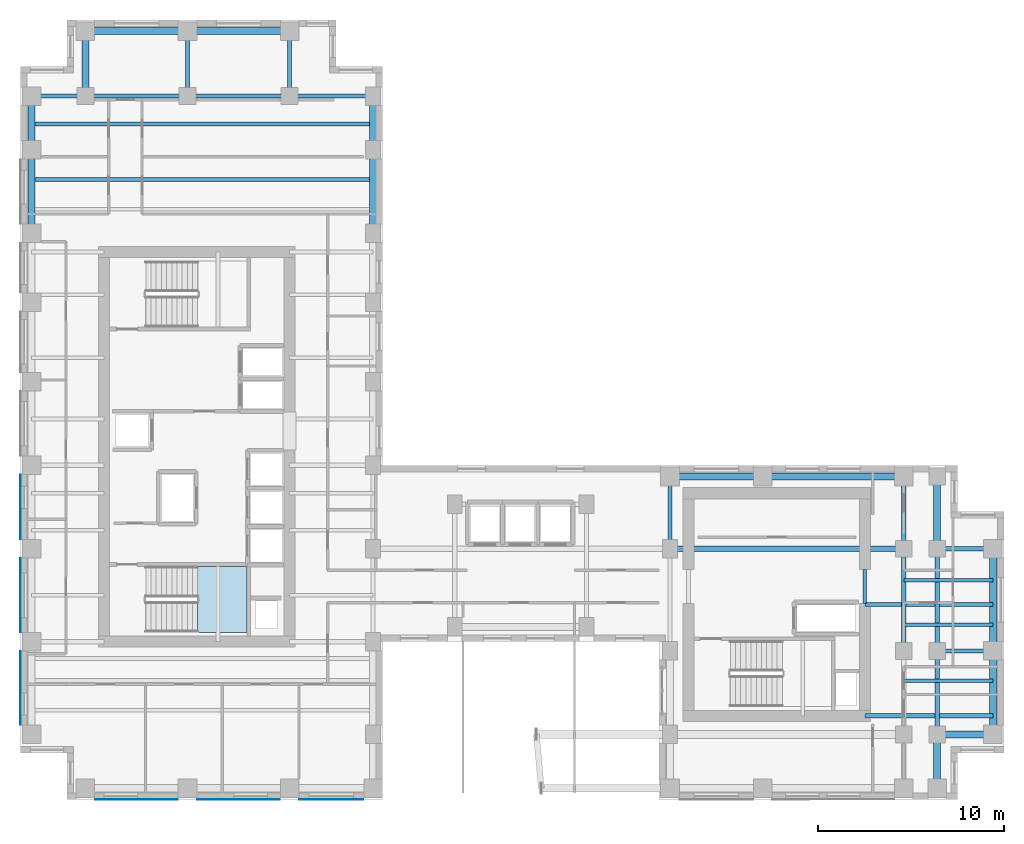
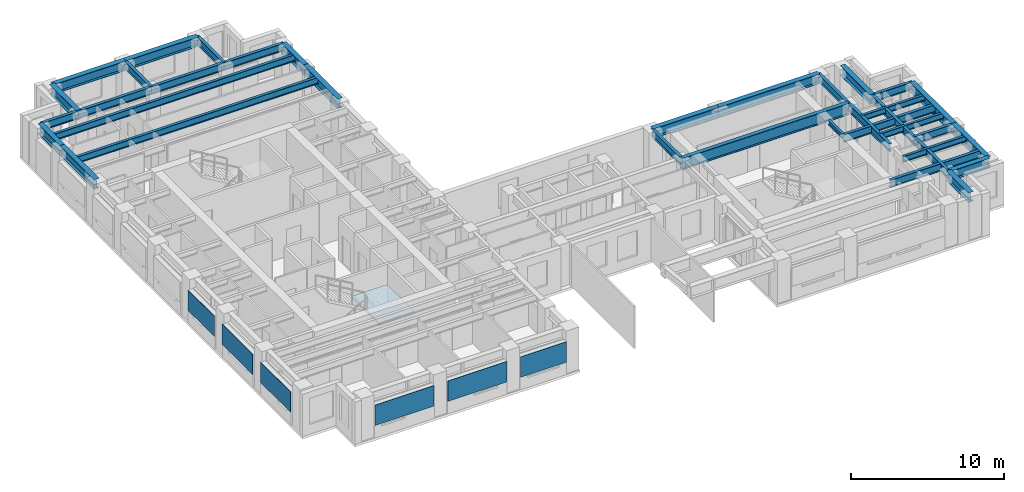
# One storey, part 3 of 13: 36 beams, 6 plates, 1 slab, 1 element without a shape of its own.
"""IFC4 building model written with IfcOpenShell, lengths in metres."""

from ifc_helpers import new_model, si_unit, direction, frame, origin, origin_2d, place, context, subcontext, project, spatial, polyline, rectangle, i_section, outline, extrude, source, transform, mapped, material, layer, layer_set, material_profile, profile_set, type_object, element, aggregate, save


model = new_model("IFC4")

# Units and contexts
model_context = context("Model", 3, precision=1e-05, world=origin(), true_north=direction((0.0, 1.0)))
body_context = subcontext(model_context, "Body", "Model", "MODEL_VIEW")
ifc_project = project(units=[si_unit("LENGTHUNIT", "METRE"), si_unit("AREAUNIT", "SQUARE_METRE"), si_unit("VOLUMEUNIT", "CUBIC_METRE"), si_unit("PLANEANGLEUNIT", "RADIAN"), si_unit("MASSUNIT", "GRAM", prefix="KILO")], contexts=[model_context])

# Site, building, storey
site_placement = place(None, origin())
site = spatial("IfcSite", under=ifc_project, at=site_placement, CompositionType="ELEMENT")
building_placement = place(site_placement, origin())
building = spatial("IfcBuilding", under=site, at=building_placement, Name="Kharzan Plaza Tower", CompositionType="ELEMENT")
storey_placement = place(building_placement, frame((0.0, 0.0, 189.89990234375)))
storey = spatial("IfcBuildingStorey", under=building, at=storey_placement, Name="L51", CompositionType="ELEMENT", Elevation=189.89990234375)

# Beams
ifc_material_1 = material(Name="Steel S355", Category="steel")
ifc_material_profile_1 = material_profile(ifc_material_1, i_section(OverallWidth=0.205078125, OverallDepth=0.35400390625, WebThickness=0.009521484375, FlangeThickness=0.016845703125, at=origin_2d()), Name="W360x79")
ifc_profile_set_1 = profile_set([ifc_material_profile_1], Name="Steel S355")
beam_type_1 = type_object("IfcBeamType", Name="BM-LNT360", PredefinedType="LINTEL", material=ifc_profile_set_1)
shared_shape_1 = source(origin(), body_context, "Body", "SweptSolid", [
    extrude(i_section(OverallWidth=0.205078125, OverallDepth=0.35400390625, WebThickness=0.009521484375, FlangeThickness=0.016845703125, at=origin_2d()), origin(), (0.0, 0.0, 1.0), 1.849853515625),
])
beam_1_placement = place(storey_placement, frame((45.5, 10.550048828125, 3.22314453125), z_axis=(0.0, 1.0, 0.0), x_axis=(-1.0, 0.0, 0.0)))
element("IfcBeam", 1, at=beam_1_placement, inside=storey, type_object=beam_type_1, Name="L51 CORE-B coupling lintel LN1-WE", PredefinedType="LINTEL", context=body_context, shape_type="MappedRepresentation", body=[
    mapped(shared_shape_1, transform((0.0, 0.0, 0.0), x_axis=(1.0, 0.0, 0.0), y_axis=(0.0, 1.0, 0.0), z_axis=(0.0, 0.0, 1.0))),
])
ifc_material_profile_2 = material_profile(ifc_material_1, i_section(OverallWidth=0.304931640625, OverallDepth=0.9189453125, WebThickness=0.017333984375, FlangeThickness=0.02783203125, at=origin_2d()), Name="W920x253")
ifc_profile_set_2 = profile_set([ifc_material_profile_2], Name="Steel S355")
beam_type_2 = type_object("IfcBeamType", Name="BM-FG920B", PredefinedType="BEAM", material=ifc_profile_set_2)
shared_shape_2 = source(origin(), body_context, "Body", "SweptSolid", [
    extrude(i_section(OverallWidth=0.304931640625, OverallDepth=0.9189453125, WebThickness=0.017333984375, FlangeThickness=0.02783203125, at=origin_2d()), origin(), (0.0, 0.0, 1.0), 12.60009765625),
])
beam_2_placement = place(storey_placement, frame((35.0, 13.5, 2.940673828125), z_axis=(1.0, 0.0, 0.0), x_axis=(0.0, 1.0, 0.0)))
element("IfcBeam", 2, at=beam_2_placement, inside=storey, type_object=beam_type_2, Name="L51 Primary Floor Girder", PredefinedType="BEAM", context=body_context, shape_type="MappedRepresentation", body=[
    mapped(shared_shape_2, transform((0.0, 0.0, 0.0), x_axis=(1.0, 0.0, 0.0), y_axis=(0.0, 1.0, 0.0), z_axis=(0.0, 0.0, 1.0))),
])
ifc_material_profile_3 = material_profile(ifc_material_1, i_section(OverallWidth=0.2099609375, OverallDepth=0.537109375, WebThickness=0.010986328125, FlangeThickness=0.017333984375, at=origin_2d()), Name="W530x101")
ifc_profile_set_3 = profile_set([ifc_material_profile_3], Name="Steel S355")
beam_type_3 = type_object("IfcBeamType", Name="BM-JST530B", PredefinedType="JOIST", material=ifc_profile_set_3)
shared_shape_3 = source(origin(), body_context, "Body", "SweptSolid", [
    extrude(i_section(OverallWidth=0.2099609375, OverallDepth=0.537109375, WebThickness=0.010986328125, FlangeThickness=0.017333984375, at=origin_2d()), origin(), (0.0, 0.0, 1.0), 18.39990234375),
])
for number, where, z_axis, x_axis, name in (
    (3, (0.60009765625, 33.39990234375, 3.131591796875), (1.0, 0.0, 0.0), (0.0, 1.0, 0.0), "L51 Wing A Composite Joist 05"),
    (4, (0.60009765625, 36.39990234375, 3.131591796875), (1.0, 0.0, 0.0), (0.0, 1.0, 0.0), "L51 Wing A Composite Joist 06"),
):
    element("IfcBeam", number, at=place(storey_placement, frame(where, z_axis=z_axis, x_axis=x_axis)), inside=storey, type_object=beam_type_3, Name=name, PredefinedType="JOIST", context=body_context, shape_type="MappedRepresentation", body=[
        mapped(shared_shape_3, transform((0.0, 0.0, 0.0), x_axis=(1.0, 0.0, 0.0), y_axis=(0.0, 1.0, 0.0), z_axis=(0.0, 0.0, 1.0))),
    ])
ifc_material_profile_4 = material_profile(ifc_material_1, i_section(OverallWidth=0.22900390625, OverallDepth=0.612060546875, WebThickness=0.011962890625, FlangeThickness=0.01953125, at=origin_2d()), Name="W610x125")
ifc_profile_set_4 = profile_set([ifc_material_profile_4], Name="Steel S355")
beam_type_4 = type_object("IfcBeamType", Name="BM-FG610B", PredefinedType="BEAM", material=ifc_profile_set_4)
shared_shape_4 = source(origin(), body_context, "Body", "SweptSolid", [
    extrude(i_section(OverallWidth=0.22900390625, OverallDepth=0.612060546875, WebThickness=0.011962890625, FlangeThickness=0.01953125, at=origin_2d()), origin(), (0.0, 0.0, 1.0), 4.5),
])
for number, where, z_axis, x_axis, name in (
    (5, (49.39990234375, 3.5, 3.093994140625), (0.0, 1.0, 0.0), (-1.0, 0.0, 0.0), "L51 Interior Frame Girder"),
    (6, (14.5, 37.89990234375, 3.093994140625), (1.0, 0.0, 0.0), (0.0, 1.0, 0.0), "L51 Primary Floor Girder"),
):
    element("IfcBeam", number, at=place(storey_placement, frame(where, z_axis=z_axis, x_axis=x_axis)), inside=storey, type_object=beam_type_4, Name=name, PredefinedType="BEAM", context=body_context, shape_type="MappedRepresentation", body=[
        mapped(shared_shape_4, transform((0.0, 0.0, 0.0), x_axis=(1.0, 0.0, 0.0), y_axis=(0.0, 1.0, 0.0), z_axis=(0.0, 0.0, 1.0))),
    ])
shared_shape_5 = source(origin(), body_context, "Body", "SweptSolid", [
    extrude(i_section(OverallWidth=0.22900390625, OverallDepth=0.612060546875, WebThickness=0.011962890625, FlangeThickness=0.01953125, at=origin_2d()), origin(), (0.0, 0.0, 1.0), 3.89990234375),
])
for number, where, z_axis, x_axis, name in (
    (7, (35.0, 13.5, 3.093994140625), (0.0, 1.0, 0.0), (-1.0, 0.0, 0.0), "L51 Interior Frame Girder"),
    (8, (47.60009765625, 13.5, 3.093994140625), (0.0, 1.0, 0.0), (-1.0, 0.0, 0.0), "L51 Interior Frame Girder"),
):
    element("IfcBeam", number, at=place(storey_placement, frame(where, z_axis=z_axis, x_axis=x_axis)), inside=storey, type_object=beam_type_4, Name=name, PredefinedType="BEAM", context=body_context, shape_type="MappedRepresentation", body=[
        mapped(shared_shape_5, transform((0.0, 0.0, 0.0), x_axis=(1.0, 0.0, 0.0), y_axis=(0.0, 1.0, 0.0), z_axis=(0.0, 0.0, 1.0))),
    ])
shared_shape_6 = source(origin(), body_context, "Body", "SweptSolid", [
    extrude(i_section(OverallWidth=0.22900390625, OverallDepth=0.612060546875, WebThickness=0.011962890625, FlangeThickness=0.01953125, at=origin_2d()), origin(), (0.0, 0.0, 1.0), 6.89990234375),
])
for number, where, z_axis, x_axis, name in (
    (9, (45.5, 4.5, 3.093994140625), (1.0, 0.0, 0.0), (0.0, 1.0, 0.0), "L51 Core-B East Floor Girder 1"),
    (10, (45.5, 10.5, 3.093994140625), (1.0, 0.0, 0.0), (0.0, 1.0, 0.0), "L51 Core-B East Floor Girder 2"),
):
    element("IfcBeam", number, at=place(storey_placement, frame(where, z_axis=z_axis, x_axis=x_axis)), inside=storey, type_object=beam_type_4, Name=name, PredefinedType="BEAM", context=body_context, shape_type="MappedRepresentation", body=[
        mapped(shared_shape_6, transform((0.0, 0.0, 0.0), x_axis=(1.0, 0.0, 0.0), y_axis=(0.0, 1.0, 0.0), z_axis=(0.0, 0.0, 1.0))),
    ])
shared_shape_7 = source(origin(), body_context, "Body", "SweptSolid", [
    extrude(i_section(OverallWidth=0.22900390625, OverallDepth=0.612060546875, WebThickness=0.011962890625, FlangeThickness=0.01953125, at=origin_2d()), origin(), (0.0, 0.0, 1.0), 3.5),
])
for number, where, z_axis, x_axis, name in (
    (11, (9.0, 37.89990234375, 3.093994140625), (0.0, 1.0, 0.0), (-1.0, 0.0, 0.0), "L51 Interior Frame Girder"),
    (12, (14.5, 37.89990234375, 3.093994140625), (0.0, 1.0, 0.0), (-1.0, 0.0, 0.0), "L51 Interior Frame Girder"),
):
    element("IfcBeam", number, at=place(storey_placement, frame(where, z_axis=z_axis, x_axis=x_axis)), inside=storey, type_object=beam_type_4, Name=name, PredefinedType="BEAM", context=body_context, shape_type="MappedRepresentation", body=[
        mapped(shared_shape_7, transform((0.0, 0.0, 0.0), x_axis=(1.0, 0.0, 0.0), y_axis=(0.0, 1.0, 0.0), z_axis=(0.0, 0.0, 1.0))),
    ])
shared_shape_8 = source(origin(), body_context, "Body", "SweptSolid", [
    extrude(i_section(OverallWidth=0.22900390625, OverallDepth=0.612060546875, WebThickness=0.011962890625, FlangeThickness=0.01953125, at=origin_2d()), origin(), (0.0, 0.0, 1.0), 5.5),
])
for number, where, z_axis, x_axis, name in (
    (13, (47.60009765625, 8.0, 3.093994140625), (0.0, 1.0, 0.0), (-1.0, 0.0, 0.0), "L51 Interior Frame Girder"),
    (14, (49.39990234375, 8.0, 3.093994140625), (0.0, 1.0, 0.0), (-1.0, 0.0, 0.0), "L51 Interior Frame Girder"),
    (15, (3.5, 37.89990234375, 3.093994140625), (1.0, 0.0, 0.0), (0.0, 1.0, 0.0), "L51 Primary Floor Girder"),
    (16, (9.0, 37.89990234375, 3.093994140625), (1.0, 0.0, 0.0), (0.0, 1.0, 0.0), "L51 Primary Floor Girder"),
):
    element("IfcBeam", number, at=place(storey_placement, frame(where, z_axis=z_axis, x_axis=x_axis)), inside=storey, type_object=beam_type_4, Name=name, PredefinedType="BEAM", context=body_context, shape_type="MappedRepresentation", body=[
        mapped(shared_shape_8, transform((0.0, 0.0, 0.0), x_axis=(1.0, 0.0, 0.0), y_axis=(0.0, 1.0, 0.0), z_axis=(0.0, 0.0, 1.0))),
    ])
shared_shape_9 = source(origin(), body_context, "Body", "SweptSolid", [
    extrude(i_section(OverallWidth=0.22900390625, OverallDepth=0.612060546875, WebThickness=0.011962890625, FlangeThickness=0.01953125, at=origin_2d()), origin(), (0.0, 0.0, 1.0), 2.89990234375),
])
beam_3_placement = place(storey_placement, frame((0.60009765625, 37.89990234375, 3.093994140625), z_axis=(1.0, 0.0, 0.0), x_axis=(0.0, 1.0, 0.0)))
element("IfcBeam", 17, at=beam_3_placement, inside=storey, type_object=beam_type_4, Name="L51 Primary Floor Girder", PredefinedType="BEAM", context=body_context, shape_type="MappedRepresentation", body=[
    mapped(shared_shape_9, transform((0.0, 0.0, 0.0), x_axis=(1.0, 0.0, 0.0), y_axis=(0.0, 1.0, 0.0), z_axis=(0.0, 0.0, 1.0))),
])
shared_shape_10 = source(origin(), body_context, "Body", "SweptSolid", [
    extrude(i_section(OverallWidth=0.22900390625, OverallDepth=0.612060546875, WebThickness=0.011962890625, FlangeThickness=0.01953125, at=origin_2d()), origin(), (0.0, 0.0, 1.0), 3.0),
])
for number, where, z_axis, x_axis, name in (
    (18, (49.39990234375, 8.0, 3.093994140625), (1.0, 0.0, 0.0), (0.0, 1.0, 0.0), "L51 Primary Floor Girder"),
    (19, (49.39990234375, 13.5, 3.093994140625), (1.0, 0.0, 0.0), (0.0, 1.0, 0.0), "L51 Primary Floor Girder"),
):
    element("IfcBeam", number, at=place(storey_placement, frame(where, z_axis=z_axis, x_axis=x_axis)), inside=storey, type_object=beam_type_4, Name=name, PredefinedType="BEAM", context=body_context, shape_type="MappedRepresentation", body=[
        mapped(shared_shape_10, transform((0.0, 0.0, 0.0), x_axis=(1.0, 0.0, 0.0), y_axis=(0.0, 1.0, 0.0), z_axis=(0.0, 0.0, 1.0))),
    ])
ifc_material_profile_5 = material_profile(ifc_material_1, i_section(OverallWidth=0.194091796875, OverallDepth=0.468994140625, WebThickness=0.011474609375, FlangeThickness=0.0205078125, at=origin_2d()), Name="W460x106")
ifc_profile_set_5 = profile_set([ifc_material_profile_5], Name="Steel S355")
beam_type_5 = type_object("IfcBeamType", Name="BM-JST460", PredefinedType="JOIST", material=ifc_profile_set_5)
shared_shape_11 = source(origin(), body_context, "Body", "SweptSolid", [
    extrude(i_section(OverallWidth=0.194091796875, OverallDepth=0.468994140625, WebThickness=0.011474609375, FlangeThickness=0.0205078125, at=origin_2d()), origin(), (0.0, 0.0, 1.0), 4.7998046875),
])
for number, where, z_axis, x_axis, name in (
    (20, (47.60009765625, 6.39990234375, 3.16552734375), (1.0, 0.0, 0.0), (0.0, 1.0, 0.0), "L51 Wing B Composite Joist 02"),
    (21, (47.60009765625, 9.39990234375, 3.16552734375), (1.0, 0.0, 0.0), (0.0, 1.0, 0.0), "L51 Wing B Composite Joist 03"),
    (22, (47.60009765625, 11.800048828125, 3.16552734375), (1.0, 0.0, 0.0), (0.0, 1.0, 0.0), "L51 Wing B Composite Joist 04"),
):
    element("IfcBeam", number, at=place(storey_placement, frame(where, z_axis=z_axis, x_axis=x_axis)), inside=storey, type_object=beam_type_5, Name=name, PredefinedType="JOIST", context=body_context, shape_type="MappedRepresentation", body=[
        mapped(shared_shape_11, transform((0.0, 0.0, 0.0), x_axis=(1.0, 0.0, 0.0), y_axis=(0.0, 1.0, 0.0), z_axis=(0.0, 0.0, 1.0))),
    ])
ifc_material_profile_6 = material_profile(ifc_material_1, i_section(OverallWidth=0.381103515625, OverallDepth=0.77294921875, WebThickness=0.0166015625, FlangeThickness=0.027587890625, at=origin_2d()), Name="W760x257")
ifc_profile_set_6 = profile_set([ifc_material_profile_6], Name="Steel S355")
beam_type_6 = type_object("IfcBeamType", Name="BM-SP760A", PredefinedType="SPANDREL", material=ifc_profile_set_6)
shared_shape_12 = source(origin(), body_context, "Body", "SweptSolid", [
    extrude(i_section(OverallWidth=0.381103515625, OverallDepth=0.77294921875, WebThickness=0.0166015625, FlangeThickness=0.027587890625, at=origin_2d()), origin(), (0.0, 0.0, 1.0), 5.0),
])
beam_4_placement = place(storey_placement, frame((35.0, 17.39990234375, 3.013671875), z_axis=(1.0, 0.0, 0.0), x_axis=(0.0, 1.0, 0.0)))
element("IfcBeam", 23, at=beam_4_placement, inside=storey, type_object=beam_type_6, Name="L51 Perimeter Tube Spandrel", PredefinedType="SPANDREL", context=body_context, shape_type="MappedRepresentation", body=[
    mapped(shared_shape_12, transform((0.0, 0.0, 0.0), x_axis=(1.0, 0.0, 0.0), y_axis=(0.0, 1.0, 0.0), z_axis=(0.0, 0.0, 1.0))),
])
shared_shape_13 = source(origin(), body_context, "Body", "SweptSolid", [
    extrude(i_section(OverallWidth=0.381103515625, OverallDepth=0.77294921875, WebThickness=0.0166015625, FlangeThickness=0.027587890625, at=origin_2d()), origin(), (0.0, 0.0, 1.0), 4.5),
])
for number, where, z_axis, x_axis, name in (
    (24, (0.60009765625, 30.5, 3.013671875), (0.0, 1.0, 0.0), (-1.0, 0.0, 0.0), "L51 Perimeter Tube Spandrel"),
    (25, (19.0, 30.5, 3.013671875), (0.0, 1.0, 0.0), (-1.0, 0.0, 0.0), "L51 Perimeter Tube Spandrel"),
    (26, (52.39990234375, 3.5, 3.013671875), (0.0, 1.0, 0.0), (-1.0, 0.0, 0.0), "L51 Perimeter Tube Spandrel"),
):
    element("IfcBeam", number, at=place(storey_placement, frame(where, z_axis=z_axis, x_axis=x_axis)), inside=storey, type_object=beam_type_6, Name=name, PredefinedType="SPANDREL", context=body_context, shape_type="MappedRepresentation", body=[
        mapped(shared_shape_13, transform((0.0, 0.0, 0.0), x_axis=(1.0, 0.0, 0.0), y_axis=(0.0, 1.0, 0.0), z_axis=(0.0, 0.0, 1.0))),
    ])
shared_shape_14 = source(origin(), body_context, "Body", "SweptSolid", [
    extrude(i_section(OverallWidth=0.381103515625, OverallDepth=0.77294921875, WebThickness=0.0166015625, FlangeThickness=0.027587890625, at=origin_2d()), origin(), (0.0, 0.0, 1.0), 2.89990234375),
])
for number, where, z_axis, x_axis, name in (
    (27, (0.60009765625, 35.0, 3.013671875), (0.0, 1.0, 0.0), (-1.0, 0.0, 0.0), "L51 Perimeter Tube Spandrel"),
    (28, (19.0, 35.0, 3.013671875), (0.0, 1.0, 0.0), (-1.0, 0.0, 0.0), "L51 Perimeter Tube Spandrel"),
    (29, (49.39990234375, 0.60009765625, 3.013671875), (0.0, 1.0, 0.0), (-1.0, 0.0, 0.0), "L51 Perimeter Tube Spandrel"),
):
    element("IfcBeam", number, at=place(storey_placement, frame(where, z_axis=z_axis, x_axis=x_axis)), inside=storey, type_object=beam_type_6, Name=name, PredefinedType="SPANDREL", context=body_context, shape_type="MappedRepresentation", body=[
        mapped(shared_shape_14, transform((0.0, 0.0, 0.0), x_axis=(1.0, 0.0, 0.0), y_axis=(0.0, 1.0, 0.0), z_axis=(0.0, 0.0, 1.0))),
    ])
shared_shape_15 = source(origin(), body_context, "Body", "SweptSolid", [
    extrude(i_section(OverallWidth=0.381103515625, OverallDepth=0.77294921875, WebThickness=0.0166015625, FlangeThickness=0.027587890625, at=origin_2d()), origin(), (0.0, 0.0, 1.0), 3.5),
])
beam_5_placement = place(storey_placement, frame((3.5, 37.89990234375, 3.013671875), z_axis=(0.0, 1.0, 0.0), x_axis=(-1.0, 0.0, 0.0)))
element("IfcBeam", 30, at=beam_5_placement, inside=storey, type_object=beam_type_6, Name="L51 Perimeter Tube Spandrel", PredefinedType="SPANDREL", context=body_context, shape_type="MappedRepresentation", body=[
    mapped(shared_shape_15, transform((0.0, 0.0, 0.0), x_axis=(1.0, 0.0, 0.0), y_axis=(0.0, 1.0, 0.0), z_axis=(0.0, 0.0, 1.0))),
])
shared_shape_16 = source(origin(), body_context, "Body", "SweptSolid", [
    extrude(i_section(OverallWidth=0.381103515625, OverallDepth=0.77294921875, WebThickness=0.0166015625, FlangeThickness=0.027587890625, at=origin_2d()), origin(), (0.0, 0.0, 1.0), 3.89990234375),
])
beam_6_placement = place(storey_placement, frame((49.39990234375, 13.5, 3.013671875), z_axis=(0.0, 1.0, 0.0), x_axis=(-1.0, 0.0, 0.0)))
element("IfcBeam", 31, at=beam_6_placement, inside=storey, type_object=beam_type_6, Name="L51 Perimeter Tube Spandrel", PredefinedType="SPANDREL", context=body_context, shape_type="MappedRepresentation", body=[
    mapped(shared_shape_16, transform((0.0, 0.0, 0.0), x_axis=(1.0, 0.0, 0.0), y_axis=(0.0, 1.0, 0.0), z_axis=(0.0, 0.0, 1.0))),
])
shared_shape_17 = source(origin(), body_context, "Body", "SweptSolid", [
    extrude(i_section(OverallWidth=0.381103515625, OverallDepth=0.77294921875, WebThickness=0.0166015625, FlangeThickness=0.027587890625, at=origin_2d()), origin(), (0.0, 0.0, 1.0), 5.5),
])
for number, where, z_axis, x_axis, name in (
    (32, (52.39990234375, 8.0, 3.013671875), (0.0, 1.0, 0.0), (-1.0, 0.0, 0.0), "L51 Perimeter Tube Spandrel"),
    (33, (3.5, 41.39990234375, 3.013671875), (1.0, 0.0, 0.0), (0.0, 1.0, 0.0), "L51 Perimeter Tube Spandrel"),
    (34, (9.0, 41.39990234375, 3.013671875), (1.0, 0.0, 0.0), (0.0, 1.0, 0.0), "L51 Perimeter Tube Spandrel"),
):
    element("IfcBeam", number, at=place(storey_placement, frame(where, z_axis=z_axis, x_axis=x_axis)), inside=storey, type_object=beam_type_6, Name=name, PredefinedType="SPANDREL", context=body_context, shape_type="MappedRepresentation", body=[
        mapped(shared_shape_17, transform((0.0, 0.0, 0.0), x_axis=(1.0, 0.0, 0.0), y_axis=(0.0, 1.0, 0.0), z_axis=(0.0, 0.0, 1.0))),
    ])
shared_shape_18 = source(origin(), body_context, "Body", "SweptSolid", [
    extrude(i_section(OverallWidth=0.381103515625, OverallDepth=0.77294921875, WebThickness=0.0166015625, FlangeThickness=0.027587890625, at=origin_2d()), origin(), (0.0, 0.0, 1.0), 7.60009765625),
])
beam_7_placement = place(storey_placement, frame((40.0, 17.39990234375, 3.013671875), z_axis=(1.0, 0.0, 0.0), x_axis=(0.0, 1.0, 0.0)))
element("IfcBeam", 35, at=beam_7_placement, inside=storey, type_object=beam_type_6, Name="L51 Perimeter Tube Spandrel", PredefinedType="SPANDREL", context=body_context, shape_type="MappedRepresentation", body=[
    mapped(shared_shape_18, transform((0.0, 0.0, 0.0), x_axis=(1.0, 0.0, 0.0), y_axis=(0.0, 1.0, 0.0), z_axis=(0.0, 0.0, 1.0))),
])
shared_shape_19 = source(origin(), body_context, "Body", "SweptSolid", [
    extrude(i_section(OverallWidth=0.381103515625, OverallDepth=0.77294921875, WebThickness=0.0166015625, FlangeThickness=0.027587890625, at=origin_2d()), origin(), (0.0, 0.0, 1.0), 3.0),
])
beam_8_placement = place(storey_placement, frame((49.39990234375, 3.5, 3.013671875), z_axis=(1.0, 0.0, 0.0), x_axis=(0.0, 1.0, 0.0)))
element("IfcBeam", 36, at=beam_8_placement, inside=storey, type_object=beam_type_6, Name="L51 Perimeter Tube Spandrel", PredefinedType="SPANDREL", context=body_context, shape_type="MappedRepresentation", body=[
    mapped(shared_shape_19, transform((0.0, 0.0, 0.0), x_axis=(1.0, 0.0, 0.0), y_axis=(0.0, 1.0, 0.0), z_axis=(0.0, 0.0, 1.0))),
])

# Stair, slab
ifc_material_2 = material(Name="Concrete C40/50", Category="concrete")
stair_type = type_object("IfcStairType", Name="STR-ST-1", PredefinedType="HALF_TURN_STAIR", material=ifc_material_2)
stair_placement = place(storey_placement, origin())
stair = element("IfcStair", 37, at=stair_placement, inside=storey, type_object=stair_type, Name="L51 Protected Exit Stair ST-1", PredefinedType="HALF_TURN_STAIR")
ifc_layer_1 = layer(ifc_material_2, 0.219970703125)
ifc_layer_set_1 = layer_set([ifc_layer_1], Name="Concrete C40/50")
slab_type = type_object("IfcSlabType", Name="SL-LANDING-220", PredefinedType="LANDING", material=ifc_layer_set_1)
slab_placement = place(storey_placement, frame((0.0, 0.0, 1.60009765625)))
slab = element("IfcSlab", 38, at=slab_placement, type_object=slab_type, Name="ST-1 landing 1", PredefinedType="LANDING", context=body_context, shape_type="SweptSolid", body=[
    extrude(outline(polyline([(9.550048828125, 9.0), (12.199951171875, 9.0), (12.199951171875, 12.550048828125), (9.550048828125, 12.550048828125), (9.550048828125, 9.0)])), origin(), (0.0, 0.0, 1.0), 0.199951171875),
])
aggregate(stair, [slab])

# Plates
ifc_material_3 = material(Name="Perforated Bronze-Anodized Aluminium", Category="aluminium")
ifc_layer_2 = layer(ifc_material_3, 0.030029296875)
ifc_layer_set_2 = layer_set([ifc_layer_2], Name="Perforated Bronze-Anodized Aluminium")
plate_type = type_object("IfcPlateType", Name="PLT-MASH-SCREEN", PredefinedType="SHEET", material=ifc_layer_set_2)
shared_shape_20 = source(origin(), body_context, "Body", "SweptSolid", [
    extrude(rectangle(XDim=3.464111328125, YDim=0.030029296875, at=origin_2d()), origin(), (0.0, 0.0, 1.0), 1.632080078125),
])
for number, where, z_axis, x_axis, name in (
    (39, (-0.012939453125, 15.75, 1.01416015625), (0.0, 0.0, 1.0), (0.0, -1.0, 0.0), "L51 Perforated Mashrabiya Solar Screen"),
    (40, (16.75, -0.012939453125, 1.01416015625), (0.0, 0.0, 1.0), (1.0, 0.0, 0.0), "L51 Perforated Mashrabiya Solar Screen"),
):
    element("IfcPlate", number, at=place(storey_placement, frame(where, z_axis=z_axis, x_axis=x_axis)), inside=storey, type_object=plate_type, Name=name, PredefinedType="SHEET", context=body_context, shape_type="MappedRepresentation", body=[
        mapped(shared_shape_20, transform((0.0, 0.0, 0.0), x_axis=(1.0, 0.0, 0.0), y_axis=(0.0, 1.0, 0.0), z_axis=(0.0, 0.0, 1.0))),
    ])
shared_shape_21 = source(origin(), body_context, "Body", "SweptSolid", [
    extrude(rectangle(XDim=3.964111328125, YDim=0.030029296875, at=origin_2d()), origin(), (0.0, 0.0, 1.0), 1.632080078125),
])
for number, where, z_axis, x_axis, name in (
    (41, (-0.012939453125, 11.0, 1.01416015625), (0.0, 0.0, 1.0), (0.0, -1.0, 0.0), "L51 Perforated Mashrabiya Solar Screen"),
    (42, (-0.012939453125, 6.0, 1.01416015625), (0.0, 0.0, 1.0), (0.0, -1.0, 0.0), "L51 Perforated Mashrabiya Solar Screen"),
):
    element("IfcPlate", number, at=place(storey_placement, frame(where, z_axis=z_axis, x_axis=x_axis)), inside=storey, type_object=plate_type, Name=name, PredefinedType="SHEET", context=body_context, shape_type="MappedRepresentation", body=[
        mapped(shared_shape_21, transform((0.0, 0.0, 0.0), x_axis=(1.0, 0.0, 0.0), y_axis=(0.0, 1.0, 0.0), z_axis=(0.0, 0.0, 1.0))),
    ])
shared_shape_22 = source(origin(), body_context, "Body", "SweptSolid", [
    extrude(rectangle(XDim=4.464111328125, YDim=0.030029296875, at=origin_2d()), origin(), (0.0, 0.0, 1.0), 1.632080078125),
])
for number, where, z_axis, x_axis, name in (
    (43, (6.25, -0.012939453125, 1.01416015625), (0.0, 0.0, 1.0), (1.0, 0.0, 0.0), "L51 Perforated Mashrabiya Solar Screen"),
    (44, (11.75, -0.012939453125, 1.01416015625), (0.0, 0.0, 1.0), (1.0, 0.0, 0.0), "L51 Perforated Mashrabiya Solar Screen"),
):
    element("IfcPlate", number, at=place(storey_placement, frame(where, z_axis=z_axis, x_axis=x_axis)), inside=storey, type_object=plate_type, Name=name, PredefinedType="SHEET", context=body_context, shape_type="MappedRepresentation", body=[
        mapped(shared_shape_22, transform((0.0, 0.0, 0.0), x_axis=(1.0, 0.0, 0.0), y_axis=(0.0, 1.0, 0.0), z_axis=(0.0, 0.0, 1.0))),
    ])

save(model, "model.ifc")
